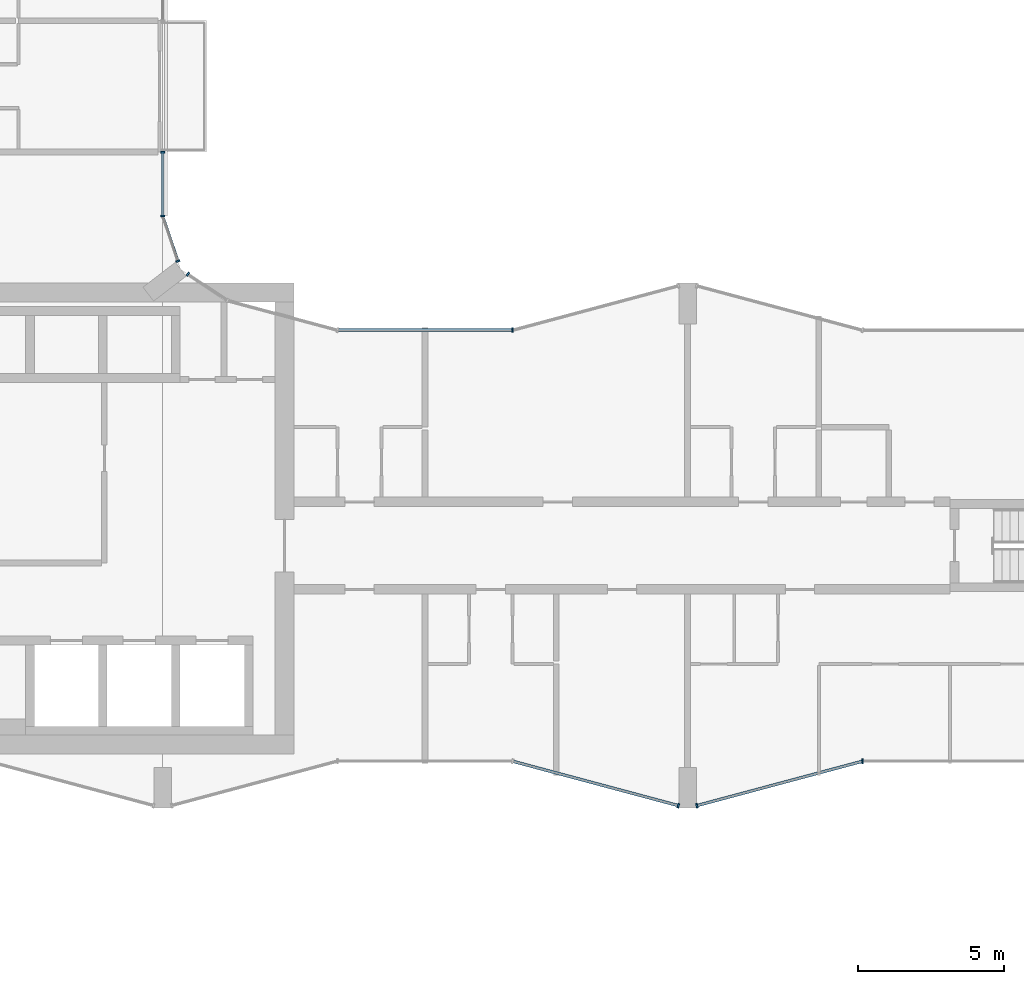
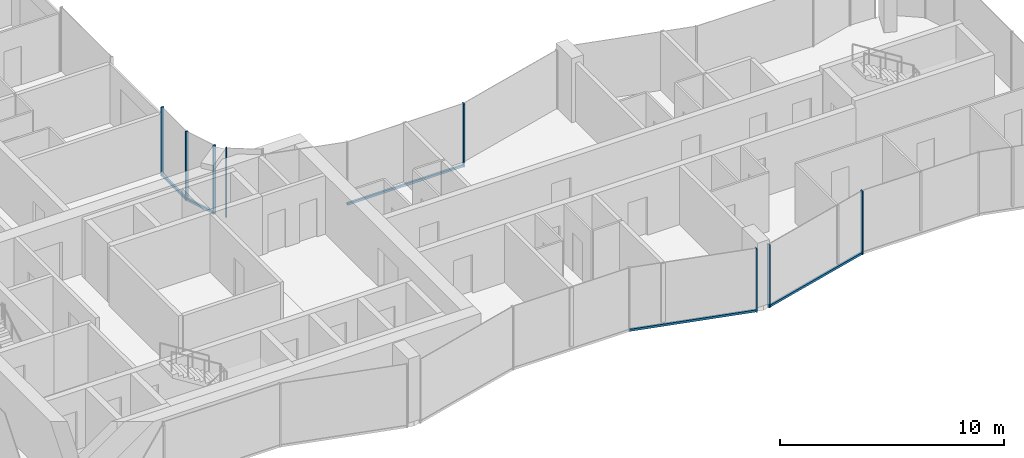
# One storey, part 4 of 19: 13 members, 7 elements without a shape of their own.
"""IFC4 building model written with IfcOpenShell, lengths in metres."""

import ifcopenshell
import ifcopenshell.guid

model = None  # the IFC model being written
_history = None  # IfcOwnerHistory: only IFC2X3 demands one
_inside = {}  # id of a spatial element -> (the spatial element, [elements in it])
_under = {}  # id of a project, library or spatial element -> (it, [spatial elements below it])
_declared = {}  # id of a project -> (the project, [libraries it declares])
_typed = {}  # id of a type object -> (the type object, [elements of that type])
_made_of = {}  # id of a material, layer set ... -> (it, [elements and type objects made of it])


def new_model(schema):
    """Start an empty IFC model of exactly this schema.

    Asked for "IFC4X3", IfcOpenShell would pick the latest addendum, in which some entities
    have other attributes; the version numbers below select the first issue.
    IFC2X3 requires an IfcOwnerHistory on every rooted entity: one is made here for all.
    """
    global model, _history
    if schema == "IFC4X3":
        model = ifcopenshell.file(schema_version=(4, 3, 0, 0))
    else:
        model = ifcopenshell.file(schema=schema)
    _inside.clear()
    _under.clear()
    _declared.clear()
    _typed.clear()
    _made_of.clear()
    _history = None
    if model.schema == "IFC2X3":
        org = make("IfcOrganization", Name="unknown")
        user = make(
            "IfcPersonAndOrganization",
            ThePerson=make("IfcPerson", FamilyName="unknown"),
            TheOrganization=org,
        )
        app = make(
            "IfcApplication",
            ApplicationDeveloper=org,
            Version="unknown",
            ApplicationFullName="unknown",
            ApplicationIdentifier="unknown",
        )
        _history = make(
            "IfcOwnerHistory",
            OwningUser=user,
            OwningApplication=app,
            ChangeAction="ADDED",
            CreationDate=0,
        )
    return model


def make(cls, **values):
    """One entity of the class cls with the attributes given. An attribute that is None is left unset."""
    return model.create_entity(
        cls, **{name: value for name, value in values.items() if value is not None}
    )


def rooted(cls, **values):
    """An entity with a GlobalId (a new one), such as an element, a storey or a relation."""
    return make(cls, GlobalId=ifcopenshell.guid.new(), OwnerHistory=_history, **values)


def si_unit(unit_type, name, prefix=None):
    """IfcSIUnit, for example si_unit("LENGTHUNIT", "METRE", prefix="MILLI")."""
    return make("IfcSIUnit", UnitType=unit_type, Prefix=prefix, Name=name)


def assignment(units):
    """IfcUnitAssignment: the units of a project."""
    return None if units is None else make("IfcUnitAssignment", Units=units)


def point(xyz):
    """IfcCartesianPoint."""
    return None if xyz is None else make("IfcCartesianPoint", Coordinates=xyz)


def direction(xyz):
    """IfcDirection."""
    return None if xyz is None else make("IfcDirection", DirectionRatios=xyz)


def frame(location, z_axis=None, x_axis=None):
    """IfcAxis2Placement3D, a coordinate frame: its origin and axes. An axis left out is left unset."""
    return make(
        "IfcAxis2Placement3D",
        Location=point(location),
        Axis=direction(z_axis),
        RefDirection=direction(x_axis),
    )


def frame_2d(location, x_axis=None):
    """IfcAxis2Placement2D, a coordinate frame in the plane: its origin and x axis."""
    return make(
        "IfcAxis2Placement2D", Location=point(location), RefDirection=direction(x_axis)
    )


def origin():
    """The frame at (0, 0, 0) with its axes left unset."""
    return frame((0.0, 0.0, 0.0))


def origin_2d():
    """The frame at (0, 0) in the plane with its x axis left unset."""
    return frame_2d((0.0, 0.0))


def place(relative_to, where):
    """IfcLocalPlacement: puts the frame where relative to a parent placement (None: the world)."""
    return make(
        "IfcLocalPlacement", PlacementRelTo=relative_to, RelativePlacement=where
    )


def context(
    kind, dimensions, precision=None, world=None, true_north=None, identifier=None
):
    """IfcGeometricRepresentationContext, for example the 3D "Model" context."""
    return make(
        "IfcGeometricRepresentationContext",
        ContextIdentifier=identifier,
        ContextType=kind,
        CoordinateSpaceDimension=dimensions,
        Precision=precision,
        WorldCoordinateSystem=world,
        TrueNorth=true_north,
    )


def subcontext(parent, identifier, kind, view, scale=None):
    """IfcGeometricRepresentationSubContext, for example "Body" below "Model"."""
    return make(
        "IfcGeometricRepresentationSubContext",
        ContextIdentifier=identifier,
        ContextType=kind,
        ParentContext=parent,
        TargetScale=scale,
        TargetView=view,
    )


def project(units=None, contexts=None):
    """IfcProject with its units and contexts."""
    return rooted(
        "IfcProject",
        Name="project",
        RepresentationContexts=contexts,
        UnitsInContext=assignment(units),
    )


def spatial(cls, under=None, at=None, **own):
    """A site, building, storey or space (cls), placed at a placement, below another one or the project."""
    s = rooted(cls, ObjectPlacement=at, **own)
    if under is not None:
        _under.setdefault(under.id(), (under, []))[1].append(s)
    return s


def profile(cls, at=None, kind="AREA", **sizes):
    """A parametric profile (cls). Its sizes go by their IFC names, for example OverallWidth=200.0."""
    return make(cls, ProfileType=kind, Position=at, **sizes)


def rectangle(**sizes):
    """IfcRectangleProfileDef."""
    return profile("IfcRectangleProfileDef", **sizes)


def extrude(swept, where, along, depth):
    """IfcExtrudedAreaSolid: the profile swept, set in the frame where, extruded along a direction by depth."""
    return make(
        "IfcExtrudedAreaSolid",
        SweptArea=swept,
        Position=where,
        ExtrudedDirection=direction(along),
        Depth=depth,
    )


def shape(context_of_items, identifier, shape_type, items):
    """IfcShapeRepresentation: the items that make up one representation, for example the "Body"."""
    return make(
        "IfcShapeRepresentation",
        ContextOfItems=context_of_items,
        RepresentationIdentifier=identifier,
        RepresentationType=shape_type,
        Items=items,
    )


def material(Name=None, Category=None):
    """IfcMaterial."""
    return make("IfcMaterial", Name=Name, Category=Category)


def layer(
    of_material, thickness, ventilated=None, Name=None, Category=None, Priority=None
):
    """IfcMaterialLayer: one layer of a wall or slab, of a material (None: an air gap)."""
    return make(
        "IfcMaterialLayer",
        Material=of_material,
        LayerThickness=thickness,
        IsVentilated=ventilated,
        Name=Name,
        Category=Category,
        Priority=Priority,
    )


def layer_set(layers, Name=None):
    """IfcMaterialLayerSet."""
    return make("IfcMaterialLayerSet", MaterialLayers=layers, LayerSetName=Name)


def material_profile(
    of_material, cross_section, Name=None, Category=None, Priority=None
):
    """IfcMaterialProfile: a cross section and its material."""
    return make(
        "IfcMaterialProfile",
        Name=Name,
        Material=of_material,
        Profile=cross_section,
        Priority=Priority,
        Category=Category,
    )


def profile_set(profiles, Name=None, composite=None):
    """IfcMaterialProfileSet."""
    return make(
        "IfcMaterialProfileSet",
        Name=Name,
        MaterialProfiles=profiles,
        CompositeProfile=composite,
    )


def made_of(thing, what):
    """Note that an element or type object is made of a material, layer set ...; save() writes the relation."""
    if what is not None:
        _made_of.setdefault(what.id(), (what, []))[1].append(thing)
    return thing


def type_object(cls, material=None, **own):
    """A type object (cls), such as IfcWallType, which elements share."""
    return made_of(rooted(cls, **own), material)


def element(
    cls,
    number,
    at=None,
    inside=None,
    cuts=None,
    type_object=None,
    material=None,
    context=None,
    identifier="Body",
    shape_type=None,
    held_by="IfcProductDefinitionShape",
    body=None,
    shapes=None,
    **own,
):
    """One element of the class cls, such as IfcWall. Its Tag is "e" and its number.

    at: its placement. inside: the storey or other place that contains it. cuts: it is an
    opening in that element (IfcRelVoidsElement). A single representation is given by context,
    identifier, shape_type and body (its items); several are given by shapes. held_by: the class
    of the entity that holds the representations. save() writes the other relations.
    """
    e = rooted(cls, Tag="e%d" % number, ObjectPlacement=at, **own)
    if body is not None:
        shapes = [shape(context, identifier, shape_type, body)]
    if shapes is not None:
        e.Representation = make(held_by, Representations=shapes)
    if inside is not None:
        _inside.setdefault(inside.id(), (inside, []))[1].append(e)
    if cuts is not None:
        rooted(
            "IfcRelVoidsElement", RelatingBuildingElement=cuts, RelatedOpeningElement=e
        )
    if type_object is not None:
        _typed.setdefault(type_object.id(), (type_object, []))[1].append(e)
    return made_of(e, material)


def aggregate(whole, parts):
    """IfcRelAggregates: a whole, such as a stair, and the parts it consists of."""
    return rooted("IfcRelAggregates", RelatingObject=whole, RelatedObjects=parts)


def save(model, path):
    """Write the relations noted so far, then the file.

    IfcRelAggregates (storeys below a building ...), IfcRelContainedInSpatialStructure (elements
    in a storey), IfcRelDefinesByType, IfcRelAssociatesMaterial and IfcRelDeclares: one each for
    every whole, place, type object, material and project.
    """
    for whole, parts in _under.values():
        aggregate(whole, parts)
    for where, things in _inside.values():
        rooted(
            "IfcRelContainedInSpatialStructure",
            RelatedElements=things,
            RelatingStructure=where,
        )
    for kind, things in _typed.values():
        rooted("IfcRelDefinesByType", RelatedObjects=things, RelatingType=kind)
    for what, things in _made_of.values():
        rooted("IfcRelAssociatesMaterial", RelatedObjects=things, RelatingMaterial=what)
    for by, libraries in _declared.values():
        rooted("IfcRelDeclares", RelatingContext=by, RelatedDefinitions=libraries)
    model.write(path)


model = new_model("IFC4")

# Units and contexts
model_context = context("Model", 3, precision=1e-05, world=origin(), true_north=direction((0.0, 1.0)))
body_context = subcontext(model_context, "Body", "Model", "MODEL_VIEW")
ifc_project = project(units=[si_unit("LENGTHUNIT", "METRE"), si_unit("AREAUNIT", "SQUARE_METRE"), si_unit("VOLUMEUNIT", "CUBIC_METRE"), si_unit("PLANEANGLEUNIT", "RADIAN"), si_unit("MASSUNIT", "GRAM", prefix="KILO")], contexts=[model_context])

# Site, building, storey
site_placement = place(None, origin())
site = spatial("IfcSite", under=ifc_project, at=site_placement, CompositionType="ELEMENT")
building_placement = place(site_placement, origin())
building = spatial("IfcBuilding", under=site, at=building_placement, Name="Plateau Cross Towers", CompositionType="ELEMENT")
storey_placement = place(building_placement, frame((0.0, 0.0, 120.300048828125)))
storey = spatial("IfcBuildingStorey", under=building, at=storey_placement, Name="L31", CompositionType="ELEMENT", Elevation=120.300048828125)

# Curtain wall, member
ifc_material_1 = material(Name="Dark low-iron glass", Category="glass")
ifc_layer_1 = layer(ifc_material_1, 0.239990234375)
ifc_layer_set_1 = layer_set([ifc_layer_1], Name="Dark low-iron glass")
curtain_wall_type_1 = type_object("IfcCurtainWallType", Name="Curtain wall flush unitised CW-B", PredefinedType="NOTDEFINED", material=ifc_layer_set_1)
curtain_wall_1_placement = place(storey_placement, origin())
curtain_wall_1 = element("IfcCurtainWall", 1, at=curtain_wall_1_placement, inside=storey, type_object=curtain_wall_type_1, Name="ENV/A/L31/A202_174", PredefinedType="NOTDEFINED")
ifc_material_2 = material(Name="Black anodised aluminium", Category="aluminium")
ifc_material_profile_1 = material_profile(ifc_material_2, rectangle(XDim=0.06005859375, YDim=0.139892578125, at=origin_2d()), Name="MULLION 60x140")
ifc_profile_set_1 = profile_set([ifc_material_profile_1], Name="Black anodised aluminium")
member_type_1 = type_object("IfcMemberType", Name="Mullion 60x140 flush unitised", PredefinedType="MULLION", material=ifc_profile_set_1)
member_1_placement = place(storey_placement, frame((18.86962890625, 18.30908203125, -0.25), z_axis=(0.0, 0.0, 1.0), x_axis=(-0.831521253329, 0.555492938984, 0.0)))
member_1 = element("IfcMember", 2, at=member_1_placement, type_object=member_type_1, Name="CW-B mullion 2", PredefinedType="MULLION", context=body_context, shape_type="SweptSolid", body=[
    extrude(rectangle(XDim=0.06005859375, YDim=0.139892578125, at=origin_2d()), origin(), (0.0, 0.0, 1.0), 3.75),
])
aggregate(curtain_wall_1, [member_1])

curtain_wall_2_placement = place(storey_placement, origin())
curtain_wall_2 = element("IfcCurtainWall", 3, at=curtain_wall_2_placement, inside=storey, type_object=curtain_wall_type_1, Name="ENV/A/L31/A185_188", PredefinedType="NOTDEFINED")
member_2_placement = place(storey_placement, frame((18.523681640625, 18.760009765625, -0.25), z_axis=(0.0, 0.0, 1.0), x_axis=(-0.321469161574, 0.94692004845, 0.0)))
member_2 = element("IfcMember", 4, at=member_2_placement, type_object=member_type_1, Name="CW-B mullion 1", PredefinedType="MULLION", context=body_context, shape_type="SweptSolid", body=[
    extrude(rectangle(XDim=0.06005859375, YDim=0.139892578125, at=origin_2d()), origin(), (0.0, 0.0, 1.0), 3.75),
])

# Curtain wall, members
curtain_wall_3_placement = place(storey_placement, origin())
curtain_wall_3 = element("IfcCurtainWall", 5, at=curtain_wall_3_placement, inside=storey, type_object=curtain_wall_type_1, Name="ENV/A/L31/A180_203", PredefinedType="NOTDEFINED")
member_3_placement = place(storey_placement, frame((18.0, 20.30224609375, -0.25), z_axis=(0.0, 0.0, 1.0), x_axis=(0.0, 1.0, 0.0)))
member_3 = element("IfcMember", 6, at=member_3_placement, type_object=member_type_1, Name="CW-B mullion 1", PredefinedType="MULLION", context=body_context, shape_type="SweptSolid", body=[
    extrude(rectangle(XDim=0.06005859375, YDim=0.139892578125, at=origin_2d()), origin(), (0.0, 0.0, 1.0), 3.75),
])
member_4_placement = place(storey_placement, frame((18.0, 22.489990234375, -0.25), z_axis=(0.0, 0.0, 1.0), x_axis=(0.0, 1.0, 0.0)))
member_4 = element("IfcMember", 7, at=member_4_placement, type_object=member_type_1, Name="CW-B mullion 2", PredefinedType="MULLION", context=body_context, shape_type="SweptSolid", body=[
    extrude(rectangle(XDim=0.06005859375, YDim=0.139892578125, at=origin_2d()), origin(), (0.0, 0.0, 1.0), 3.75),
])

# Curtain wall, member
ifc_layer_2 = layer(ifc_material_1, 0.260009765625)
ifc_layer_set_2 = layer_set([ifc_layer_2], Name="Dark low-iron glass")
curtain_wall_type_2 = type_object("IfcCurtainWallType", Name="Curtain wall fluted unitised CW-A", PredefinedType="NOTDEFINED", material=ifc_layer_set_2)
curtain_wall_4_placement = place(storey_placement, origin())
curtain_wall_4 = element("IfcCurtainWall", 8, at=curtain_wall_4_placement, inside=storey, type_object=curtain_wall_type_2, Name="ENV/A/L31/A300_16", PredefinedType="NOTDEFINED")
ifc_material_profile_2 = material_profile(ifc_material_2, rectangle(XDim=0.06005859375, YDim=0.159912109375, at=origin_2d()), Name="MULLION 60x160")
ifc_profile_set_2 = profile_set([ifc_material_profile_2], Name="Black anodised aluminium")
member_type_2 = type_object("IfcMemberType", Name="Mullion 60x160 fluted unitised", PredefinedType="MULLION", material=ifc_profile_set_2)
member_5_placement = place(storey_placement, frame((35.68212890625, 0.085205078125, -0.25), z_axis=(0.0, 0.0, 1.0), x_axis=(0.965957983404, -0.258699003279, 0.0)))
member_5 = element("IfcMember", 9, at=member_5_placement, type_object=member_type_2, Name="CW-A mullion 2", PredefinedType="MULLION", context=body_context, shape_type="SweptSolid", body=[
    extrude(rectangle(XDim=0.06005859375, YDim=0.159912109375, at=origin_2d()), origin(), (0.0, 0.0, 1.0), 3.449951171875),
])

curtain_wall_5_placement = place(storey_placement, origin())
curtain_wall_5 = element("IfcCurtainWall", 10, at=curtain_wall_5_placement, inside=storey, type_object=curtain_wall_type_2, Name="ENV/A/L31/A363_1", PredefinedType="NOTDEFINED")
member_6_placement = place(storey_placement, frame((36.31787109375, 0.085205078125, -0.25), z_axis=(0.0, 0.0, 1.0), x_axis=(0.965957983404, 0.258699003279, 0.0)))
member_6 = element("IfcMember", 11, at=member_6_placement, type_object=member_type_2, Name="CW-A mullion 1", PredefinedType="MULLION", context=body_context, shape_type="SweptSolid", body=[
    extrude(rectangle(XDim=0.06005859375, YDim=0.159912109375, at=origin_2d()), origin(), (0.0, 0.0, 1.0), 3.449951171875),
])

curtain_wall_6_placement = place(storey_placement, origin())
curtain_wall_6 = element("IfcCurtainWall", 12, at=curtain_wall_6_placement, inside=storey, type_object=curtain_wall_type_2, Name="ENV/A/L31/A420_16", PredefinedType="NOTDEFINED")
member_7_placement = place(storey_placement, frame((42.0, 1.60693359375, -0.25), z_axis=(0.0, 0.0, 1.0), x_axis=(1.0, 0.0, 0.0)))
member_7 = element("IfcMember", 13, at=member_7_placement, type_object=member_type_2, Name="CW-A mullion 1", PredefinedType="MULLION", context=body_context, shape_type="SweptSolid", body=[
    extrude(rectangle(XDim=0.06005859375, YDim=0.159912109375, at=origin_2d()), origin(), (0.0, 0.0, 1.0), 3.449951171875),
])
aggregate(curtain_wall_6, [member_7])

curtain_wall_7_placement = place(storey_placement, origin())
curtain_wall_7 = element("IfcCurtainWall", 14, at=curtain_wall_7_placement, inside=storey, type_object=curtain_wall_type_2, Name="ENV/A/L31/A300_164", PredefinedType="NOTDEFINED")
member_8_placement = place(storey_placement, frame((30.0, 16.39306640625, -0.25), z_axis=(0.0, 0.0, 1.0), x_axis=(-1.0, 0.0, 0.0)))
member_8 = element("IfcMember", 15, at=member_8_placement, type_object=member_type_2, Name="CW-A mullion 1", PredefinedType="MULLION", context=body_context, shape_type="SweptSolid", body=[
    extrude(rectangle(XDim=0.06005859375, YDim=0.159912109375, at=origin_2d()), origin(), (0.0, 0.0, 1.0), 3.449951171875),
])

# Member
ifc_material_profile_3 = material_profile(ifc_material_2, rectangle(XDim=0.10009765625, YDim=0.1201171875, at=origin_2d()), Name="TRANSOM 100x120")
ifc_profile_set_3 = profile_set([ifc_material_profile_3], Name="Black anodised aluminium")
member_type_3 = type_object("IfcMemberType", Name="Transom 100x120 flush unitised", PredefinedType="USERDEFINED", material=ifc_profile_set_3)
member_9_placement = place(storey_placement, frame((18.523681640625, 18.760009765625, -0.18994140625), z_axis=(-0.321529174838, 0.946899672472, 0.0), x_axis=(-0.946899672472, -0.321529174838, 0.0)))
member_9 = element("IfcMember", 16, at=member_9_placement, type_object=member_type_3, Name="CW-B transom", ObjectType="TRANSOM", PredefinedType="USERDEFINED", context=body_context, shape_type="SweptSolid", body=[
    extrude(rectangle(XDim=0.10009765625, YDim=0.1201171875, at=origin_2d()), origin(), (0.0, 0.0, 1.0), 1.628662109375),
])

aggregate(curtain_wall_2, [member_2, member_9])

member_10_placement = place(storey_placement, frame((18.0, 20.30224609375, -0.18994140625), z_axis=(0.0, 1.0, 0.0), x_axis=(-1.0, 0.0, 0.0)))
member_10 = element("IfcMember", 17, at=member_10_placement, type_object=member_type_3, Name="CW-B transom", ObjectType="TRANSOM", PredefinedType="USERDEFINED", context=body_context, shape_type="SweptSolid", body=[
    extrude(rectangle(XDim=0.10009765625, YDim=0.1201171875, at=origin_2d()), origin(), (0.0, 0.0, 1.0), 2.187744140625),
])

aggregate(curtain_wall_3, [member_3, member_4, member_10])

ifc_material_profile_4 = material_profile(ifc_material_2, rectangle(XDim=0.10009765625, YDim=0.1201171875, at=origin_2d()), Name="TRANSOM 100x120")
ifc_profile_set_4 = profile_set([ifc_material_profile_4], Name="Black anodised aluminium")
member_type_4 = type_object("IfcMemberType", Name="Transom 100x120 fluted unitised", PredefinedType="USERDEFINED", material=ifc_profile_set_4)
member_11_placement = place(storey_placement, frame((30.0, 1.60693359375, -0.18994140625), z_axis=(0.965959534794, -0.258693210465, 0.0), x_axis=(0.258693210465, 0.965959534794, 0.0)))
member_11 = element("IfcMember", 18, at=member_11_placement, type_object=member_type_4, Name="CW-A transom", ObjectType="TRANSOM", PredefinedType="USERDEFINED", context=body_context, shape_type="SweptSolid", body=[
    extrude(rectangle(XDim=0.10009765625, YDim=0.1201171875, at=origin_2d()), origin(), (0.0, 0.0, 1.0), 5.88232421875),
])

aggregate(curtain_wall_4, [member_5, member_11])

member_12_placement = place(storey_placement, frame((36.31787109375, 0.085205078125, -0.18994140625), z_axis=(0.965959534794, 0.258693210465, 0.0), x_axis=(-0.258693210465, 0.965959534794, 0.0)))
member_12 = element("IfcMember", 19, at=member_12_placement, type_object=member_type_4, Name="CW-A transom", ObjectType="TRANSOM", PredefinedType="USERDEFINED", context=body_context, shape_type="SweptSolid", body=[
    extrude(rectangle(XDim=0.10009765625, YDim=0.1201171875, at=origin_2d()), origin(), (0.0, 0.0, 1.0), 5.88232421875),
])

aggregate(curtain_wall_5, [member_6, member_12])

member_13_placement = place(storey_placement, frame((30.0, 16.39306640625, -0.18994140625), z_axis=(-1.0, 0.0, 0.0), x_axis=(0.0, -1.0, 0.0)))
member_13 = element("IfcMember", 20, at=member_13_placement, type_object=member_type_4, Name="CW-A transom", ObjectType="TRANSOM", PredefinedType="USERDEFINED", context=body_context, shape_type="SweptSolid", body=[
    extrude(rectangle(XDim=0.10009765625, YDim=0.1201171875, at=origin_2d()), origin(), (0.0, 0.0, 1.0), 6.0),
])

aggregate(curtain_wall_7, [member_8, member_13])

save(model, "model.ifc")
